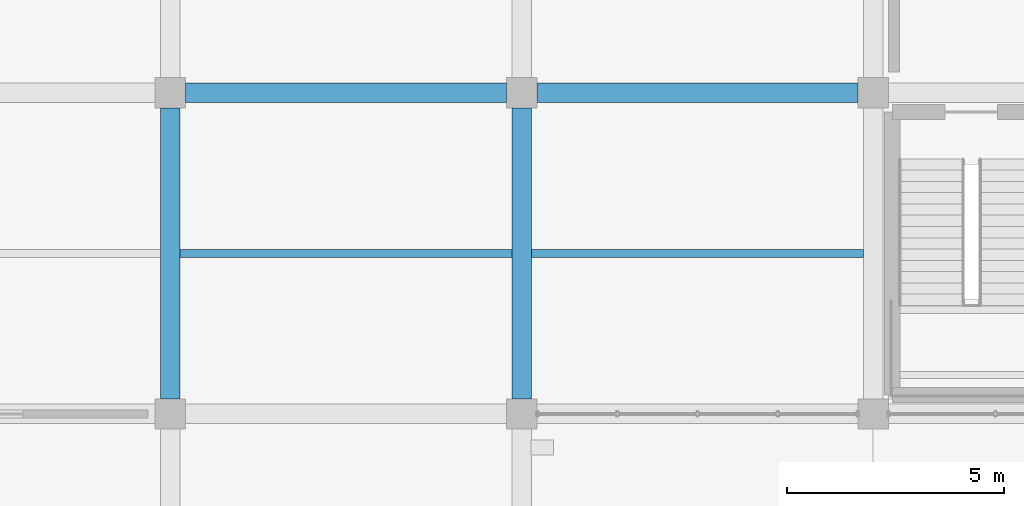
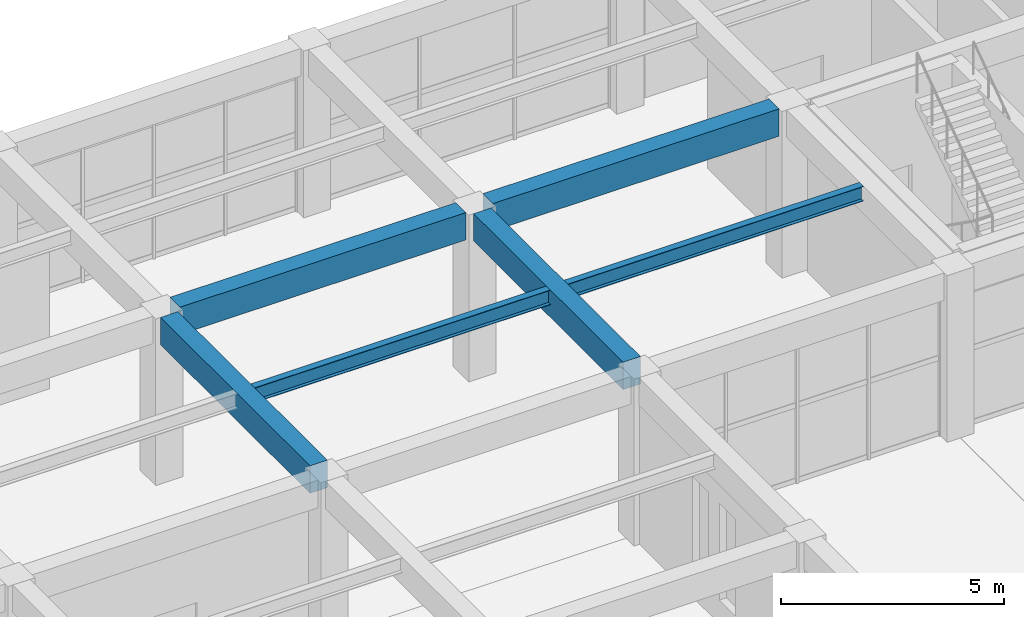
# One storey, part 5 of 161: 6 beams.
"""IFC4 building model written with IfcOpenShell, lengths in metres."""

import ifcopenshell
import ifcopenshell.guid

model = None  # the IFC model being written
_history = None  # IfcOwnerHistory: only IFC2X3 demands one
_inside = {}  # id of a spatial element -> (the spatial element, [elements in it])
_under = {}  # id of a project, library or spatial element -> (it, [spatial elements below it])
_declared = {}  # id of a project -> (the project, [libraries it declares])
_typed = {}  # id of a type object -> (the type object, [elements of that type])
_made_of = {}  # id of a material, layer set ... -> (it, [elements and type objects made of it])


def new_model(schema):
    """Start an empty IFC model of exactly this schema.

    Asked for "IFC4X3", IfcOpenShell would pick the latest addendum, in which some entities
    have other attributes; the version numbers below select the first issue.
    IFC2X3 requires an IfcOwnerHistory on every rooted entity: one is made here for all.
    """
    global model, _history
    if schema == "IFC4X3":
        model = ifcopenshell.file(schema_version=(4, 3, 0, 0))
    else:
        model = ifcopenshell.file(schema=schema)
    _inside.clear()
    _under.clear()
    _declared.clear()
    _typed.clear()
    _made_of.clear()
    _history = None
    if model.schema == "IFC2X3":
        org = make("IfcOrganization", Name="unknown")
        user = make(
            "IfcPersonAndOrganization",
            ThePerson=make("IfcPerson", FamilyName="unknown"),
            TheOrganization=org,
        )
        app = make(
            "IfcApplication",
            ApplicationDeveloper=org,
            Version="unknown",
            ApplicationFullName="unknown",
            ApplicationIdentifier="unknown",
        )
        _history = make(
            "IfcOwnerHistory",
            OwningUser=user,
            OwningApplication=app,
            ChangeAction="ADDED",
            CreationDate=0,
        )
    return model


def make(cls, **values):
    """One entity of the class cls with the attributes given. An attribute that is None is left unset."""
    return model.create_entity(
        cls, **{name: value for name, value in values.items() if value is not None}
    )


def rooted(cls, **values):
    """An entity with a GlobalId (a new one), such as an element, a storey or a relation."""
    return make(cls, GlobalId=ifcopenshell.guid.new(), OwnerHistory=_history, **values)


def si_unit(unit_type, name, prefix=None):
    """IfcSIUnit, for example si_unit("LENGTHUNIT", "METRE", prefix="MILLI")."""
    return make("IfcSIUnit", UnitType=unit_type, Prefix=prefix, Name=name)


def assignment(units):
    """IfcUnitAssignment: the units of a project."""
    return None if units is None else make("IfcUnitAssignment", Units=units)


def point(xyz):
    """IfcCartesianPoint."""
    return None if xyz is None else make("IfcCartesianPoint", Coordinates=xyz)


def direction(xyz):
    """IfcDirection."""
    return None if xyz is None else make("IfcDirection", DirectionRatios=xyz)


def frame(location, z_axis=None, x_axis=None):
    """IfcAxis2Placement3D, a coordinate frame: its origin and axes. An axis left out is left unset."""
    return make(
        "IfcAxis2Placement3D",
        Location=point(location),
        Axis=direction(z_axis),
        RefDirection=direction(x_axis),
    )


def frame_2d(location, x_axis=None):
    """IfcAxis2Placement2D, a coordinate frame in the plane: its origin and x axis."""
    return make(
        "IfcAxis2Placement2D", Location=point(location), RefDirection=direction(x_axis)
    )


def origin():
    """The frame at (0, 0, 0) with its axes left unset."""
    return frame((0.0, 0.0, 0.0))


def origin_2d():
    """The frame at (0, 0) in the plane with its x axis left unset."""
    return frame_2d((0.0, 0.0))


def place(relative_to, where):
    """IfcLocalPlacement: puts the frame where relative to a parent placement (None: the world)."""
    return make(
        "IfcLocalPlacement", PlacementRelTo=relative_to, RelativePlacement=where
    )


def context(
    kind, dimensions, precision=None, world=None, true_north=None, identifier=None
):
    """IfcGeometricRepresentationContext, for example the 3D "Model" context."""
    return make(
        "IfcGeometricRepresentationContext",
        ContextIdentifier=identifier,
        ContextType=kind,
        CoordinateSpaceDimension=dimensions,
        Precision=precision,
        WorldCoordinateSystem=world,
        TrueNorth=true_north,
    )


def subcontext(parent, identifier, kind, view, scale=None):
    """IfcGeometricRepresentationSubContext, for example "Body" below "Model"."""
    return make(
        "IfcGeometricRepresentationSubContext",
        ContextIdentifier=identifier,
        ContextType=kind,
        ParentContext=parent,
        TargetScale=scale,
        TargetView=view,
    )


def project(units=None, contexts=None):
    """IfcProject with its units and contexts."""
    return rooted(
        "IfcProject",
        Name="project",
        RepresentationContexts=contexts,
        UnitsInContext=assignment(units),
    )


def spatial(cls, under=None, at=None, **own):
    """A site, building, storey or space (cls), placed at a placement, below another one or the project."""
    s = rooted(cls, ObjectPlacement=at, **own)
    if under is not None:
        _under.setdefault(under.id(), (under, []))[1].append(s)
    return s


def profile(cls, at=None, kind="AREA", **sizes):
    """A parametric profile (cls). Its sizes go by their IFC names, for example OverallWidth=200.0."""
    return make(cls, ProfileType=kind, Position=at, **sizes)


def rectangle(**sizes):
    """IfcRectangleProfileDef."""
    return profile("IfcRectangleProfileDef", **sizes)


def i_section(**sizes):
    """IfcIShapeProfileDef."""
    return profile("IfcIShapeProfileDef", **sizes)


def extrude(swept, where, along, depth):
    """IfcExtrudedAreaSolid: the profile swept, set in the frame where, extruded along a direction by depth."""
    return make(
        "IfcExtrudedAreaSolid",
        SweptArea=swept,
        Position=where,
        ExtrudedDirection=direction(along),
        Depth=depth,
    )


def shape(context_of_items, identifier, shape_type, items):
    """IfcShapeRepresentation: the items that make up one representation, for example the "Body"."""
    return make(
        "IfcShapeRepresentation",
        ContextOfItems=context_of_items,
        RepresentationIdentifier=identifier,
        RepresentationType=shape_type,
        Items=items,
    )


def material(Name=None, Category=None):
    """IfcMaterial."""
    return make("IfcMaterial", Name=Name, Category=Category)


def material_profile(
    of_material, cross_section, Name=None, Category=None, Priority=None
):
    """IfcMaterialProfile: a cross section and its material."""
    return make(
        "IfcMaterialProfile",
        Name=Name,
        Material=of_material,
        Profile=cross_section,
        Priority=Priority,
        Category=Category,
    )


def profile_set(profiles, Name=None, composite=None):
    """IfcMaterialProfileSet."""
    return make(
        "IfcMaterialProfileSet",
        Name=Name,
        MaterialProfiles=profiles,
        CompositeProfile=composite,
    )


def made_of(thing, what):
    """Note that an element or type object is made of a material, layer set ...; save() writes the relation."""
    if what is not None:
        _made_of.setdefault(what.id(), (what, []))[1].append(thing)
    return thing


def type_object(cls, material=None, **own):
    """A type object (cls), such as IfcWallType, which elements share."""
    return made_of(rooted(cls, **own), material)


def element(
    cls,
    number,
    at=None,
    inside=None,
    cuts=None,
    type_object=None,
    material=None,
    context=None,
    identifier="Body",
    shape_type=None,
    held_by="IfcProductDefinitionShape",
    body=None,
    shapes=None,
    **own,
):
    """One element of the class cls, such as IfcWall. Its Tag is "e" and its number.

    at: its placement. inside: the storey or other place that contains it. cuts: it is an
    opening in that element (IfcRelVoidsElement). A single representation is given by context,
    identifier, shape_type and body (its items); several are given by shapes. held_by: the class
    of the entity that holds the representations. save() writes the other relations.
    """
    e = rooted(cls, Tag="e%d" % number, ObjectPlacement=at, **own)
    if body is not None:
        shapes = [shape(context, identifier, shape_type, body)]
    if shapes is not None:
        e.Representation = make(held_by, Representations=shapes)
    if inside is not None:
        _inside.setdefault(inside.id(), (inside, []))[1].append(e)
    if cuts is not None:
        rooted(
            "IfcRelVoidsElement", RelatingBuildingElement=cuts, RelatedOpeningElement=e
        )
    if type_object is not None:
        _typed.setdefault(type_object.id(), (type_object, []))[1].append(e)
    return made_of(e, material)


def aggregate(whole, parts):
    """IfcRelAggregates: a whole, such as a stair, and the parts it consists of."""
    return rooted("IfcRelAggregates", RelatingObject=whole, RelatedObjects=parts)


def save(model, path):
    """Write the relations noted so far, then the file.

    IfcRelAggregates (storeys below a building ...), IfcRelContainedInSpatialStructure (elements
    in a storey), IfcRelDefinesByType, IfcRelAssociatesMaterial and IfcRelDeclares: one each for
    every whole, place, type object, material and project.
    """
    for whole, parts in _under.values():
        aggregate(whole, parts)
    for where, things in _inside.values():
        rooted(
            "IfcRelContainedInSpatialStructure",
            RelatedElements=things,
            RelatingStructure=where,
        )
    for kind, things in _typed.values():
        rooted("IfcRelDefinesByType", RelatedObjects=things, RelatingType=kind)
    for what, things in _made_of.values():
        rooted("IfcRelAssociatesMaterial", RelatedObjects=things, RelatingMaterial=what)
    for by, libraries in _declared.values():
        rooted("IfcRelDeclares", RelatingContext=by, RelatedDefinitions=libraries)
    model.write(path)


model = new_model("IFC4")

# Units and contexts
model_context = context("Model", 3, precision=1e-05, world=origin(), true_north=direction((0.0, 1.0)))
body_context = subcontext(model_context, "Body", "Model", "MODEL_VIEW")
ifc_project = project(units=[si_unit("LENGTHUNIT", "METRE"), si_unit("AREAUNIT", "SQUARE_METRE"), si_unit("VOLUMEUNIT", "CUBIC_METRE"), si_unit("PLANEANGLEUNIT", "RADIAN"), si_unit("MASSUNIT", "GRAM", prefix="KILO")], contexts=[model_context])

# Site, building, storey
site_placement = place(None, origin())
site = spatial("IfcSite", under=ifc_project, at=site_placement, CompositionType="ELEMENT")
building_placement = place(site_placement, origin())
building = spatial("IfcBuilding", under=site, at=building_placement, Name="Cimatlan Art Gallery", CompositionType="ELEMENT")
storey_placement = place(building_placement, frame((0.0, 0.0, 5.39990234375)))
storey = spatial("IfcBuildingStorey", under=building, at=storey_placement, Name="L01", CompositionType="ELEMENT", Elevation=5.39990234375)

# Beams
ifc_material_1 = material(Name="Concrete C40/50", Category="concrete")
ifc_material_profile_1 = material_profile(ifc_material_1, rectangle(XDim=0.449951171875, YDim=0.75, at=origin_2d()), Name="RC450X750")
ifc_profile_set_1 = profile_set([ifc_material_profile_1], Name="Concrete C40/50")
beam_type_1 = type_object("IfcBeamType", Name="BM-RC-450X750", PredefinedType="BEAM", material=ifc_profile_set_1)
for number, where, z_axis, x_axis, name in (
    (1, (18.199951171875, 24.25, 4.18505859375), (0.0, 1.0, 0.0), (-1.0, 0.0, 0.0), "BM-Y-L01-02-03"),
    (2, (26.300048828125, 24.25, 4.18505859375), (0.0, 1.0, 0.0), (-1.0, 0.0, 0.0), "BM-Y-L01-03-03"),
):
    element("IfcBeam", number, at=place(storey_placement, frame(where, z_axis=z_axis, x_axis=x_axis)), inside=storey, type_object=beam_type_1, Name=name, PredefinedType="BEAM", context=body_context, shape_type="SweptSolid", body=[
        extrude(rectangle(XDim=0.449951171875, YDim=0.75, at=origin_2d()), origin(), (0.0, 0.0, 1.0), 6.699951171875),
    ])
beam_1_placement = place(storey_placement, frame((18.550048828125, 31.300048828125, 4.18505859375), z_axis=(1.0, 0.0, 0.0), x_axis=(0.0, 1.0, 0.0)))
element("IfcBeam", 3, at=beam_1_placement, inside=storey, type_object=beam_type_1, Name="BM-X-L01-02-04", PredefinedType="BEAM", context=body_context, shape_type="SweptSolid", body=[
    extrude(rectangle(XDim=0.449951171875, YDim=0.75, at=origin_2d()), origin(), (0.0, 0.0, 1.0), 7.39990234375),
])
beam_2_placement = place(storey_placement, frame((26.64990234375, 31.300048828125, 4.18505859375), z_axis=(1.0, 0.0, 0.0), x_axis=(0.0, 1.0, 0.0)))
element("IfcBeam", 4, at=beam_2_placement, inside=storey, type_object=beam_type_1, Name="BM-X-L01-03-04", PredefinedType="BEAM", context=body_context, shape_type="SweptSolid", body=[
    extrude(rectangle(XDim=0.449951171875, YDim=0.75, at=origin_2d()), origin(), (0.0, 0.0, 1.0), 7.400146484375),
])
ifc_material_2 = material(Name="Steel ASTM A992 Grade 50", Category="steel")
ifc_material_profile_2 = material_profile(ifc_material_2, i_section(OverallWidth=0.177978515625, OverallDepth=0.406982421875, WebThickness=0.0078125, FlangeThickness=0.0126953125, at=origin_2d()), Name="W16X40")
ifc_profile_set_2 = profile_set([ifc_material_profile_2], Name="Steel ASTM A992 Grade 50")
beam_type_2 = type_object("IfcBeamType", Name="BM-STL-W16X40", PredefinedType="JOIST", material=ifc_profile_set_2)
beam_3_placement = place(storey_placement, frame((18.425048828125, 27.60009765625, 4.356689453125), z_axis=(1.0, 0.0, 0.0), x_axis=(0.0, 1.0, 0.0)))
element("IfcBeam", 5, at=beam_3_placement, inside=storey, type_object=beam_type_2, Name="JST-L01-02-03", PredefinedType="JOIST", context=body_context, shape_type="SweptSolid", body=[
    extrude(i_section(OverallWidth=0.177978515625, OverallDepth=0.406982421875, WebThickness=0.0078125, FlangeThickness=0.0126953125, at=origin_2d()), origin(), (0.0, 0.0, 1.0), 7.64990234375),
])
beam_4_placement = place(storey_placement, frame((26.52490234375, 27.60009765625, 4.356689453125), z_axis=(1.0, 0.0, 0.0), x_axis=(0.0, 1.0, 0.0)))
element("IfcBeam", 6, at=beam_4_placement, inside=storey, type_object=beam_type_2, Name="JST-L01-03-03", PredefinedType="JOIST", context=body_context, shape_type="SweptSolid", body=[
    extrude(i_section(OverallWidth=0.177978515625, OverallDepth=0.406982421875, WebThickness=0.0078125, FlangeThickness=0.0126953125, at=origin_2d()), origin(), (0.0, 0.0, 1.0), 7.650146484375),
])

save(model, "model.ifc")
